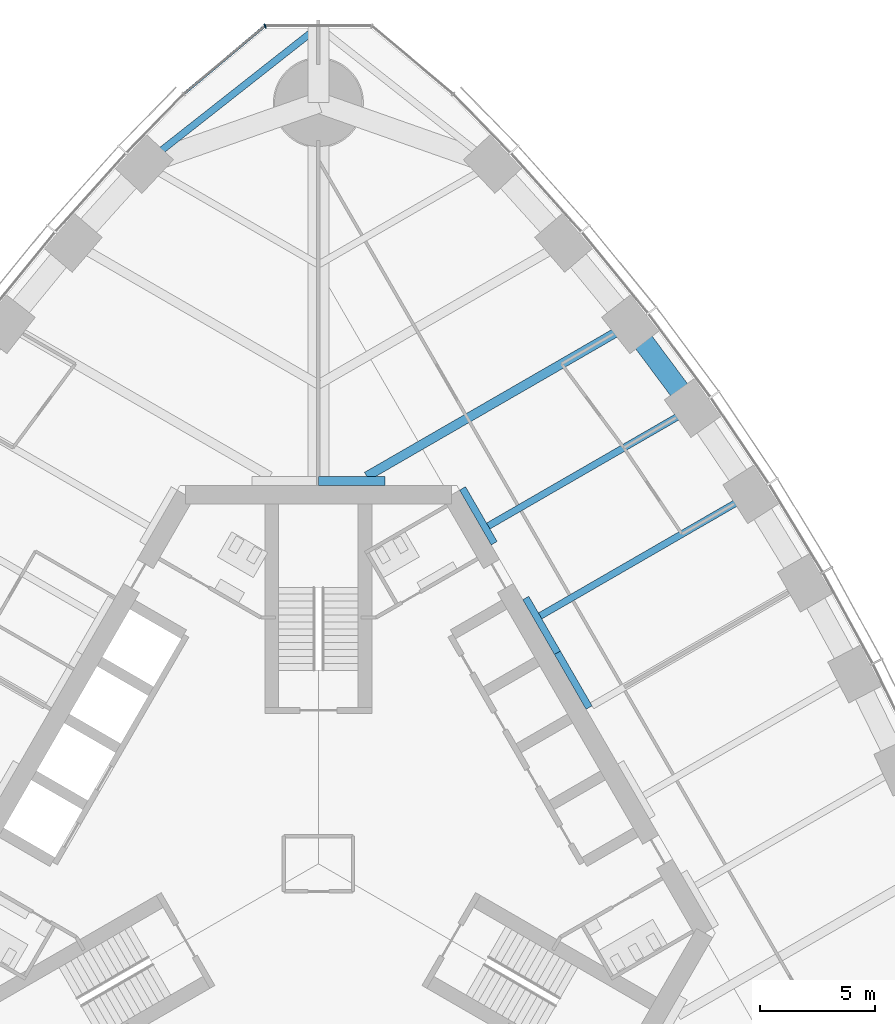
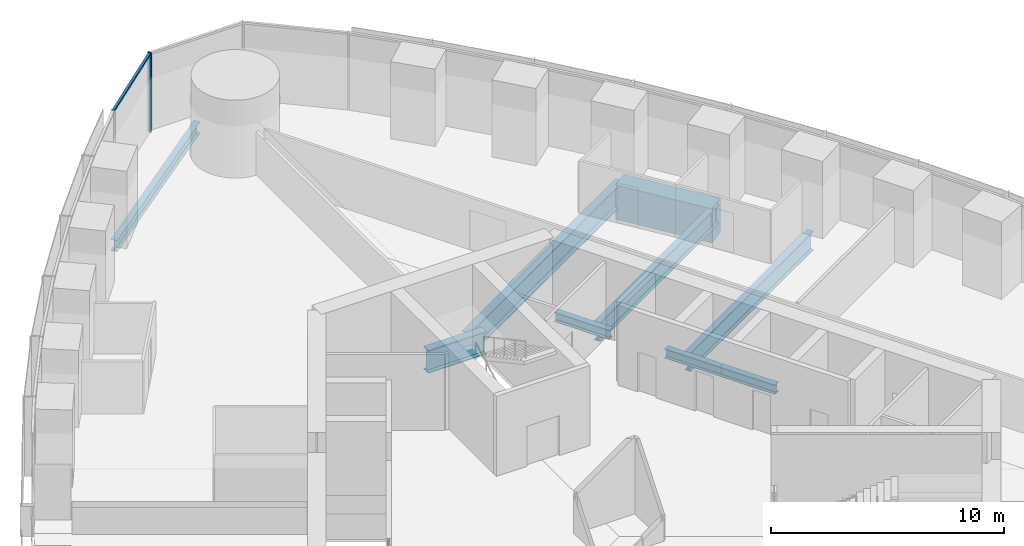
# One storey, part 6 of 18: 9 beams, 2 members, 1 element without a shape of its own.
"""IFC4 building model written with IfcOpenShell, lengths in metres."""

from ifc_helpers import new_model, si_unit, direction, frame, origin, origin_2d, place, context, subcontext, project, spatial, rectangle, i_section, extrude, material, material_profile, profile_set, type_object, element, aggregate, save


model = new_model("IFC4")

# Units and contexts
model_context = context("Model", 3, precision=1e-05, world=origin(), true_north=direction((0.0, 1.0)))
body_context = subcontext(model_context, "Body", "Model", "MODEL_VIEW")
ifc_project = project(units=[si_unit("LENGTHUNIT", "METRE"), si_unit("AREAUNIT", "SQUARE_METRE"), si_unit("VOLUMEUNIT", "CUBIC_METRE"), si_unit("PLANEANGLEUNIT", "RADIAN"), si_unit("MASSUNIT", "GRAM", prefix="KILO")], contexts=[model_context])

# Site, building, storey
site_placement = place(None, origin())
site = spatial("IfcSite", under=ifc_project, at=site_placement, CompositionType="ELEMENT")
building_placement = place(site_placement, origin())
building = spatial("IfcBuilding", under=site, at=building_placement, Name="Trefoil Bronze Tower", CompositionType="ELEMENT")
storey_placement = place(building_placement, frame((0.0, 0.0, 198.10009765625)))
storey = spatial("IfcBuildingStorey", under=building, at=storey_placement, Name="L45", CompositionType="ELEMENT", Elevation=198.10009765625)

# Curtain wall, members
ifc_material_1 = material(Name="Tinted solar-control glass", Category="glass")
curtain_wall_type = type_object("IfcCurtainWallType", Name="Bronze rounded corner curtain wall", PredefinedType="USERDEFINED", material=ifc_material_1)
curtain_wall_placement = place(storey_placement, origin())
curtain_wall = element("IfcCurtainWall", 1, at=curtain_wall_placement, inside=storey, type_object=curtain_wall_type, Name="CW-B L45 K2", ObjectType="CURTAIN WALL", PredefinedType="USERDEFINED")
ifc_material_2 = material(Name="Bronze-finish aluminium", Category="aluminium")
ifc_material_profile_1 = material_profile(ifc_material_2, rectangle(XDim=0.199951171875, YDim=0.06005859375, at=origin_2d()), Name="CW-B mullion")
ifc_profile_set_1 = profile_set([ifc_material_profile_1], Name="Bronze-finish aluminium")
member_type_1 = type_object("IfcMemberType", Name="Bronze rounded corner curtain wall mullion", PredefinedType="MULLION", material=ifc_profile_set_1)
member_1_placement = place(storey_placement, frame((-2.314453125, 36.326416015625, 0.0), z_axis=(0.0, 0.0, 1.0), x_axis=(0.342020143326, -0.939692620786, 0.0)))
member_1 = element("IfcMember", 2, at=member_1_placement, type_object=member_type_1, Name="CW-B L45 K2 mullion 3", PredefinedType="MULLION", context=body_context, shape_type="SweptSolid", body=[
    extrude(rectangle(XDim=0.199951171875, YDim=0.06005859375, at=origin_2d()), origin(), (0.0, 0.0, 1.0), 4.179931640625),
])
ifc_material_3 = material(Name="Bronze-finish aluminium", Category="aluminium")
ifc_material_profile_2 = material_profile(ifc_material_3, rectangle(XDim=0.1201171875, YDim=0.10009765625, at=origin_2d()), Name="CW-B transom")
ifc_profile_set_2 = profile_set([ifc_material_profile_2], Name="Bronze-finish aluminium")
member_type_2 = type_object("IfcMemberType", Name="Bronze rounded corner curtain wall transom", PredefinedType="USERDEFINED", material=ifc_profile_set_2)
member_2_placement = place(storey_placement, frame((-2.367431640625, 36.289794921875, 4.1298828125), z_axis=(-0.766046761698, -0.642784846501, 0.0), x_axis=(0.642784846501, -0.766046761698, 0.0)))
member_2 = element("IfcMember", 3, at=member_2_placement, type_object=member_type_2, Name="CW-B L45 K2 transom 3", ObjectType="TRANSOM", PredefinedType="USERDEFINED", context=body_context, shape_type="SweptSolid", body=[
    extrude(rectangle(XDim=0.1201171875, YDim=0.10009765625, at=origin_2d()), origin(), (0.0, 0.0, 1.0), 4.5),
])
aggregate(curtain_wall, [member_1, member_2])

# Beams
ifc_material_4 = material(Name="Steel C355", Category="steel")
ifc_material_profile_3 = material_profile(ifc_material_4, i_section(OverallWidth=0.300048828125, OverallDepth=0.5, WebThickness=0.014404296875, FlangeThickness=0.028076171875, FilletRadius=0.027099609375, at=origin_2d()), Name="HEB 500")
ifc_profile_set_3 = profile_set([ifc_material_profile_3], Name="Steel C355")
beam_type_1 = type_object("IfcBeamType", Name="Core seat beam HEB 500", PredefinedType="BEAM", material=ifc_profile_set_3)
for number, where, z_axis, x_axis, name in (
    (4, (11.734619140625, 6.77490234375, -0.4501953125), (-0.499969057507, 0.866043267704, 0.0), (-0.866043267704, -0.499969057507, 0.0), "Core seat beam F2/+0 L45"),
    (5, (10.363525390625, 9.14990234375, -0.4501953125), (-0.500035825175, 0.866004719122, 0.0), (-0.866004719122, -0.500035825175, 0.0), "Core seat beam F2/+1 L45"),
    (6, (7.62109375, 13.89990234375, -0.4501953125), (-0.500035825175, 0.866004719122, 0.0), (-0.866004719122, -0.500035825175, 0.0), "Core seat beam F2/+2 L45"),
):
    element("IfcBeam", number, at=place(storey_placement, frame(where, z_axis=z_axis, x_axis=x_axis)), inside=storey, type_object=beam_type_1, Name=name, PredefinedType="BEAM", context=body_context, shape_type="SweptSolid", body=[
        extrude(i_section(OverallWidth=0.300048828125, OverallDepth=0.5, WebThickness=0.014404296875, FlangeThickness=0.028076171875, FilletRadius=0.027099609375, at=origin_2d()), origin(), (0.0, 0.0, 1.0), 2.742431640625),
    ])
ifc_material_5 = material(Name="Steel C355", Category="steel")
ifc_material_profile_4 = material_profile(ifc_material_5, i_section(OverallWidth=0.39990234375, OverallDepth=1.199951171875, WebThickness=0.02001953125, FlangeThickness=0.0400390625, FilletRadius=0.010009765625, at=origin_2d()), Name="WPG 1200")
ifc_profile_set_4 = profile_set([ifc_material_profile_4], Name="Steel C355")
beam_type_2 = type_object("IfcBeamType", Name="Core seat beam WPG 1200", PredefinedType="BEAM", material=ifc_profile_set_4)
beam_1_placement = place(storey_placement, frame((2.88671875, 16.60009765625, -0.800048828125), z_axis=(-1.0, 0.0, 0.0), x_axis=(0.0, -1.0, 0.0)))
element("IfcBeam", 7, at=beam_1_placement, inside=storey, type_object=beam_type_2, Name="Core seat beam F2/+3 L45", PredefinedType="BEAM", context=body_context, shape_type="SweptSolid", body=[
    extrude(i_section(OverallWidth=0.39990234375, OverallDepth=1.199951171875, WebThickness=0.02001953125, FlangeThickness=0.0400390625, FilletRadius=0.010009765625, at=origin_2d()), origin(), (0.0, 0.0, 1.0), 2.88671875),
])
ifc_material_6 = material(Name="Steel C355", Category="steel")
ifc_material_profile_5 = material_profile(ifc_material_6, i_section(OverallWidth=0.300048828125, OverallDepth=0.60009765625, WebThickness=0.015380859375, FlangeThickness=0.030029296875, FilletRadius=0.027099609375, at=origin_2d()), Name="HEB 600")
ifc_profile_set_5 = profile_set([ifc_material_profile_5], Name="Steel C355")
beam_type_3 = type_object("IfcBeamType", Name="Corner edge beam HEB 600", PredefinedType="BEAM", material=ifc_profile_set_5)
beam_2_placement = place(storey_placement, frame((-7.552001953125, 30.3408203125, -0.5), z_axis=(0.785805912008, 0.618473175371, 0.0), x_axis=(-0.618473175371, 0.785805912008, 0.0)))
element("IfcBeam", 8, at=beam_2_placement, inside=storey, type_object=beam_type_3, Name="Corner edge beam F3B L45", PredefinedType="BEAM", context=body_context, shape_type="SweptSolid", body=[
    extrude(i_section(OverallWidth=0.300048828125, OverallDepth=0.60009765625, WebThickness=0.015380859375, FlangeThickness=0.030029296875, FilletRadius=0.027099609375, at=origin_2d()), origin(), (0.0, 0.0, 1.0), 9.610595703125),
])
ifc_material_7 = material(Name="Steel C355", Category="steel")
ifc_material_profile_6 = material_profile(ifc_material_7, i_section(OverallWidth=0.300048828125, OverallDepth=1.0, WebThickness=0.01904296875, FlangeThickness=0.035888671875, FilletRadius=0.030029296875, at=origin_2d()), Name="HEB 1000")
ifc_profile_set_6 = profile_set([ifc_material_profile_6], Name="Steel C355")
beam_type_4 = type_object("IfcBeamType", Name="Floor beam HEB 1000", PredefinedType="BEAM", material=ifc_profile_set_6)
beam_3_placement = place(storey_placement, frame((18.748046875, 16.020263671875, -0.7001953125), z_axis=(-0.866027918957, -0.499995643569, 0.0), x_axis=(0.499995643569, -0.866027918957, 0.0)))
element("IfcBeam", 9, at=beam_3_placement, inside=storey, type_object=beam_type_4, Name="Floor beam F2/+1 L45", PredefinedType="BEAM", context=body_context, shape_type="SweptSolid", body=[
    extrude(i_section(OverallWidth=0.300048828125, OverallDepth=1.0, WebThickness=0.01904296875, FlangeThickness=0.035888671875, FilletRadius=0.030029296875, at=origin_2d()), origin(), (0.0, 0.0, 1.0), 10.54638671875),
])
beam_4_placement = place(storey_placement, frame((16.2265625, 19.7607421875, -0.7001953125), z_axis=(-0.866027856548, -0.499995751665, 0.0), x_axis=(0.499995751665, -0.866027856548, 0.0)))
element("IfcBeam", 10, at=beam_4_placement, inside=storey, type_object=beam_type_4, Name="Floor beam F2/+2 L45", PredefinedType="BEAM", context=body_context, shape_type="SweptSolid", body=[
    extrude(i_section(OverallWidth=0.300048828125, OverallDepth=1.0, WebThickness=0.01904296875, FlangeThickness=0.035888671875, FilletRadius=0.030029296875, at=origin_2d()), origin(), (0.0, 0.0, 1.0), 10.23291015625),
])
ifc_material_8 = material(Name="Steel C355", Category="steel")
ifc_material_profile_7 = material_profile(ifc_material_8, i_section(OverallWidth=0.39990234375, OverallDepth=1.199951171875, WebThickness=0.02001953125, FlangeThickness=0.0400390625, FilletRadius=0.010009765625, at=origin_2d()), Name="WPG 1200")
ifc_profile_set_7 = profile_set([ifc_material_profile_7], Name="Steel C355")
beam_type_5 = type_object("IfcBeamType", Name="Floor beam WPG 1200", PredefinedType="BEAM", material=ifc_profile_set_7)
beam_5_placement = place(storey_placement, frame((13.522216796875, 23.3955078125, -0.800048828125), z_axis=(-0.866028399451, -0.499994811317, 0.0), x_axis=(0.499994811317, -0.866028399451, 0.0)))
element("IfcBeam", 11, at=beam_5_placement, inside=storey, type_object=beam_type_5, Name="Floor beam F2/+3 L45", PredefinedType="BEAM", context=body_context, shape_type="SweptSolid", body=[
    extrude(i_section(OverallWidth=0.39990234375, OverallDepth=1.199951171875, WebThickness=0.02001953125, FlangeThickness=0.0400390625, FilletRadius=0.010009765625, at=origin_2d()), origin(), (0.0, 0.0, 1.0), 13.191162109375),
])
ifc_material_9 = material(Name="Concrete B80", Category="concrete")
ifc_material_profile_8 = material_profile(ifc_material_9, rectangle(XDim=0.89990234375, YDim=1.800048828125, at=origin_2d()), Name="RC 900x1800")
ifc_profile_set_8 = profile_set([ifc_material_profile_8], Name="Concrete B80")
beam_type_6 = type_object("IfcBeamType", Name="Spandrel beam RC 900x1800", PredefinedType="SPANDREL", material=ifc_profile_set_8)
beam_6_placement = place(storey_placement, frame((16.2265625, 19.7607421875, -1.10009765625), z_axis=(-0.596926078257, 0.802296240236, 0.0), x_axis=(-0.802296240236, -0.596926078257, 0.0)))
element("IfcBeam", 12, at=beam_6_placement, inside=storey, type_object=beam_type_6, Name="Spandrel F2.9 L45", PredefinedType="SPANDREL", context=body_context, shape_type="SweptSolid", body=[
    extrude(rectangle(XDim=0.89990234375, YDim=1.800048828125, at=origin_2d()), origin(), (0.0, 0.0, 1.0), 4.530517578125),
])

save(model, "model.ifc")
